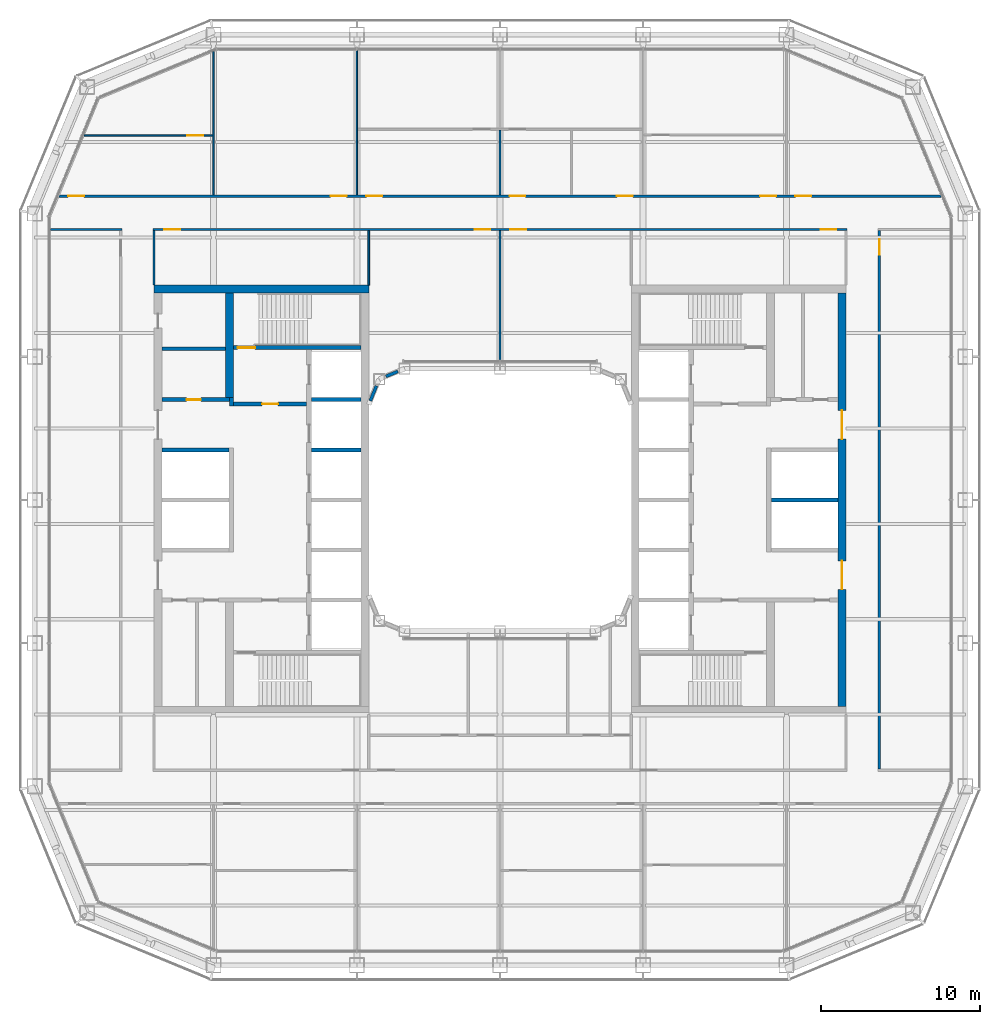
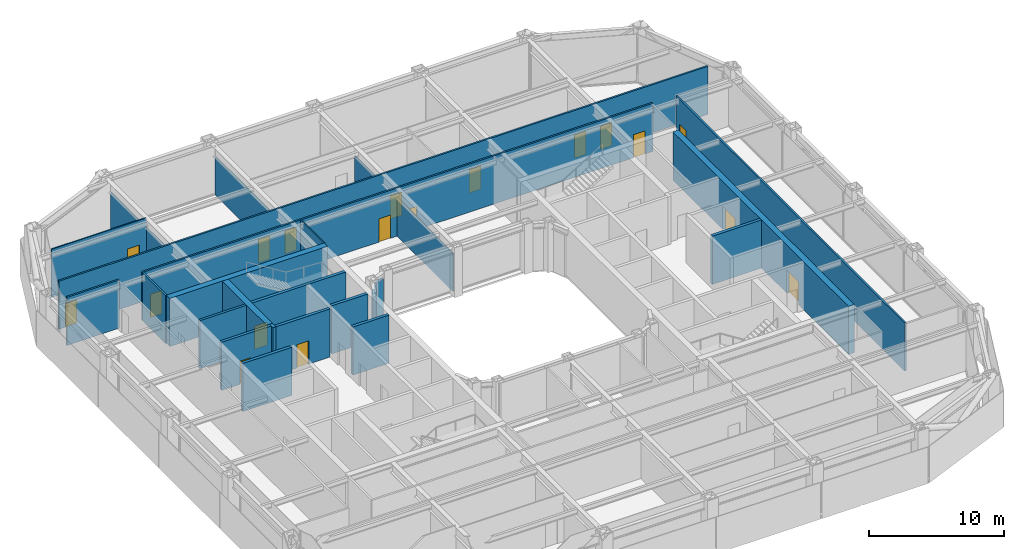
# One storey, part 13 of 21: 25 walls, 18 doors, 18 openings.
"""IFC4 building model written with IfcOpenShell, lengths in metres."""

from ifc_helpers import new_model, si_unit, direction, frame, frame_2d, origin, place, context, subcontext, project, spatial, rectangle, extrude, material, layer, layer_set, type_object, element, fill, save


model = new_model("IFC4")

# Units and contexts
model_context = context("Model", 3, precision=1e-05, world=origin(), true_north=direction((0.0, 1.0)))
body_context = subcontext(model_context, "Body", "Model", "MODEL_VIEW")
ifc_project = project(units=[si_unit("LENGTHUNIT", "METRE"), si_unit("AREAUNIT", "SQUARE_METRE"), si_unit("VOLUMEUNIT", "CUBIC_METRE"), si_unit("PLANEANGLEUNIT", "RADIAN"), si_unit("MASSUNIT", "GRAM", prefix="KILO")], contexts=[model_context])

# Site, building, storey
site_placement = place(None, origin())
site = spatial("IfcSite", under=ifc_project, at=site_placement, CompositionType="ELEMENT")
building_placement = place(site_placement, origin())
building = spatial("IfcBuilding", under=site, at=building_placement, Name="Siwar Civic Tower", CompositionType="ELEMENT")
storey_placement = place(building_placement, frame((0.0, 0.0, 104.699951171875)))
storey = spatial("IfcBuildingStorey", under=building, at=storey_placement, Name="L22", CompositionType="ELEMENT", Elevation=104.699951171875)

# Wall
ifc_material_1 = material(Name="Gypsum board on steel studs", Category="steel")
ifc_layer_1 = layer(ifc_material_1, 0.199951171875)
ifc_layer_set_1 = layer_set([ifc_layer_1], Name="Gypsum board on steel studs")
wall_type_1 = type_object("IfcWallType", Name="CORE-PARTITION-200", PredefinedType="PARTITIONING", material=ifc_layer_set_1)
wall_1_placement = place(storey_placement, frame((-17.25, 9.5, 0.0), z_axis=(0.0, 0.0, 1.0), x_axis=(-1.0, 0.0, 0.0)))
element("IfcWall", 1, at=wall_1_placement, inside=storey, type_object=wall_type_1, Name="Core partition W", PredefinedType="PARTITIONING", context=body_context, shape_type="SweptSolid", body=[
    extrude(rectangle(XDim=4.0, YDim=0.199951171875, at=frame_2d((2.0, 0.0))), origin(), (0.0, 0.0, 1.0), 4.35009765625),
])

# Wall, opening, door
ifc_material_2 = material(Name="Concrete C60/75", Category="concrete")
ifc_layer_2 = layer(ifc_material_2, 0.25)
ifc_layer_set_2 = layer_set([ifc_layer_2], Name="Concrete C60/75")
wall_type_2 = type_object("IfcWallType", Name="CORE-WALL-RC250", PredefinedType="SHEAR", material=ifc_layer_set_2)
wall_2_placement = place(storey_placement, frame((-12.14990234375, 6.02490234375, 0.0), z_axis=(0.0, 0.0, 1.0), x_axis=(-1.0, 0.0, 0.0)))
wall_2 = element("IfcWall", 2, at=wall_2_placement, inside=storey, type_object=wall_type_2, Name="Core wall W", PredefinedType="SHEAR", context=body_context, shape_type="SweptSolid", body=[
    extrude(rectangle(XDim=4.60009765625, YDim=0.25, at=frame_2d((2.300048828125, 0.0))), origin(), (0.0, 0.0, 1.0), 4.35009765625),
])
opening_1_placement = place(wall_2_placement, frame((1.800048828125, 0.0, 0.0)))
opening_1 = element("IfcOpeningElement", 3, at=opening_1_placement, cuts=wall_2, Name="Opening L22-CW01", PredefinedType="OPENING", context=body_context, shape_type="SweptSolid", body=[
    extrude(rectangle(XDim=1.0, YDim=2.10009765625, at=frame_2d((0.5, 1.050048828125))), frame((0.0, 0.135009765625, 0.0), z_axis=(0.0, -1.0, 0.0), x_axis=(1.0, 0.0, 0.0)), (0.0, 0.0, 1.0), 0.27001953125),
])
ifc_material_3 = material(Name="Steel door leaf", Category="steel")
door_type_1 = type_object("IfcDoorType", Name="CORE-DOOR-FD30S", OperationType="SINGLE_SWING_LEFT", PredefinedType="DOOR", material=ifc_material_3)
door_1_placement = place(opening_1_placement, origin())
door_1 = element("IfcDoor", 4, at=door_1_placement, inside=storey, type_object=door_type_1, Name="Firefighting lobby door L22-CW01", OperationType="SINGLE_SWING_LEFT", OverallHeight=2.10009765625, OverallWidth=1.0, PredefinedType="DOOR", context=body_context, shape_type="SweptSolid", body=[
    extrude(rectangle(XDim=1.0, YDim=2.10009765625, at=frame_2d((0.5, 1.050048828125))), frame((0.0, 0.02490234375, 0.0), z_axis=(0.0, -1.0, 0.0), x_axis=(1.0, 0.0, 0.0)), (0.0, 0.0, 1.0), 0.050048828125),
])
fill(opening_1, door_1)

# Wall
wall_3_placement = place(storey_placement, frame((-16.875, 5.89990234375, 0.0), z_axis=(0.0, 0.0, 1.0), x_axis=(0.0, 1.0, 0.0)))
element("IfcWall", 5, at=wall_3_placement, inside=storey, type_object=wall_type_2, Name="Core wall W", PredefinedType="SHEAR", context=body_context, shape_type="SweptSolid", body=[
    extrude(rectangle(XDim=0.525146484375, YDim=0.25, at=frame_2d((0.2626953125, 0.0))), origin(), (0.0, 0.0, 1.0), 4.35009765625),
])

# Wall, opening, door
wall_4_placement = place(storey_placement, frame((-17.0, 6.300048828125, 0.0), z_axis=(0.0, 0.0, 1.0), x_axis=(-1.0, 0.0, 0.0)))
wall_4 = element("IfcWall", 6, at=wall_4_placement, inside=storey, type_object=wall_type_2, Name="Core wall W", PredefinedType="SHEAR", context=body_context, shape_type="SweptSolid", body=[
    extrude(rectangle(XDim=4.25, YDim=0.25, at=frame_2d((2.125, 0.0))), origin(), (0.0, 0.0, 1.0), 4.35009765625),
])
opening_2_placement = place(wall_4_placement, frame((1.800048828125, 0.0, 0.0)))
opening_2 = element("IfcOpeningElement", 7, at=opening_2_placement, cuts=wall_4, Name="Opening L22-CW13", PredefinedType="OPENING", context=body_context, shape_type="SweptSolid", body=[
    extrude(rectangle(XDim=0.89990234375, YDim=2.10009765625, at=frame_2d((0.449951171875, 1.050048828125))), frame((0.0, 0.135009765625, 0.0), z_axis=(0.0, -1.0, 0.0), x_axis=(1.0, 0.0, 0.0)), (0.0, 0.0, 1.0), 0.27001953125),
])
ifc_material_4 = material(Name="Steel door leaf", Category="steel")
door_type_2 = type_object("IfcDoorType", Name="CORE-DOOR-ROOM", OperationType="SINGLE_SWING_LEFT", PredefinedType="DOOR", material=ifc_material_4)
door_2_placement = place(opening_2_placement, origin())
door_2 = element("IfcDoor", 8, at=door_2_placement, inside=storey, type_object=door_type_2, Name="Core room door L22-CW13", OperationType="SINGLE_SWING_LEFT", OverallHeight=2.10009765625, OverallWidth=0.89990234375, PredefinedType="DOOR", context=body_context, shape_type="SweptSolid", body=[
    extrude(rectangle(XDim=0.89990234375, YDim=2.10009765625, at=frame_2d((0.449951171875, 1.050048828125))), frame((0.0, 0.02490234375, 0.0), z_axis=(0.0, -1.0, 0.0), x_axis=(1.0, 0.0, 0.0)), (0.0, 0.0, 1.0), 0.050048828125),
])
fill(opening_2, door_2)

# Walls
wall_5_placement = place(storey_placement, frame((-17.050048828125, 3.14990234375, 0.0), z_axis=(0.0, 0.0, 1.0), x_axis=(-1.0, 0.0, 0.0)))
element("IfcWall", 9, at=wall_5_placement, inside=storey, type_object=wall_type_2, Name="Core wall W", PredefinedType="SHEAR", context=body_context, shape_type="SweptSolid", body=[
    extrude(rectangle(XDim=4.199951171875, YDim=0.25, at=frame_2d((2.10009765625, 0.0))), origin(), (0.0, 0.0, 1.0), 4.35009765625),
])
for number, where, z_axis, x_axis, name in (
    (10, (-8.75, 3.14990234375, 0.0), (0.0, 0.0, 1.0), (-1.0, 0.0, 0.0), "Core wall W"),
    (11, (-8.75, 6.300048828125, 0.0), (0.0, 0.0, 1.0), (-1.0, 0.0, 0.0), "Core wall W"),
):
    element("IfcWall", number, at=place(storey_placement, frame(where, z_axis=z_axis, x_axis=x_axis)), inside=storey, type_object=wall_type_2, Name=name, PredefinedType="SHEAR", context=body_context, shape_type="SweptSolid", body=[
        extrude(rectangle(XDim=3.10009765625, YDim=0.25, at=frame_2d((1.550048828125, 0.0))), origin(), (0.0, 0.0, 1.0), 4.35009765625),
    ])

# Wall, opening, door
wall_6_placement = place(storey_placement, frame((-8.75, 9.574951171875, 0.0), z_axis=(0.0, 0.0, 1.0), x_axis=(-1.0, 0.0, 0.0)))
wall_6 = element("IfcWall", 12, at=wall_6_placement, inside=storey, type_object=wall_type_2, Name="Core wall W", PredefinedType="SHEAR", context=body_context, shape_type="SweptSolid", body=[
    extrude(rectangle(XDim=8.0, YDim=0.25, at=frame_2d((4.0, 0.0))), origin(), (0.0, 0.0, 1.0), 4.35009765625),
])
opening_3_placement = place(wall_6_placement, frame((6.64990234375, 0.0, 0.0)))
opening_3 = element("IfcOpeningElement", 13, at=opening_3_placement, cuts=wall_6, Name="Opening L22-CW03", PredefinedType="OPENING", context=body_context, shape_type="SweptSolid", body=[
    extrude(rectangle(XDim=1.10009765625, YDim=2.10009765625, at=frame_2d((0.550048828125, 1.050048828125))), frame((0.0, 0.135009765625, 0.0), z_axis=(0.0, -1.0, 0.0), x_axis=(1.0, 0.0, 0.0)), (0.0, 0.0, 1.0), 0.27001953125),
])
ifc_material_5 = material(Name="Steel door leaf", Category="steel")
door_type_3 = type_object("IfcDoorType", Name="CORE-DOOR-FD60S", OperationType="SINGLE_SWING_LEFT", PredefinedType="DOOR", material=ifc_material_5)
door_3_placement = place(opening_3_placement, origin())
door_3 = element("IfcDoor", 14, at=door_3_placement, inside=storey, type_object=door_type_3, Name="Stair door L22-CW03", OperationType="SINGLE_SWING_RIGHT", OverallHeight=2.10009765625, OverallWidth=1.10009765625, PredefinedType="DOOR", context=body_context, shape_type="SweptSolid", body=[
    extrude(rectangle(XDim=1.10009765625, YDim=2.10009765625, at=frame_2d((0.550048828125, 1.050048828125))), frame((0.0, 0.02490234375, 0.0), z_axis=(0.0, -1.0, 0.0), x_axis=(1.0, 0.0, 0.0)), (0.0, 0.0, 1.0), 0.050048828125),
])
fill(opening_3, door_3)

# Walls
wall_7_placement = place(storey_placement, frame((17.050048828125, 0.0, 0.0), z_axis=(0.0, 0.0, 1.0), x_axis=(1.0, 0.0, 0.0)))
element("IfcWall", 15, at=wall_7_placement, inside=storey, type_object=wall_type_2, Name="Core wall E", PredefinedType="SHEAR", context=body_context, shape_type="SweptSolid", body=[
    extrude(rectangle(XDim=4.199951171875, YDim=0.25, at=frame_2d((2.10009765625, 0.0))), origin(), (0.0, 0.0, 1.0), 4.35009765625),
])
ifc_material_6 = material(Name="Concrete C60/75", Category="concrete")
ifc_layer_3 = layer(ifc_material_6, 0.5)
ifc_layer_set_3 = layer_set([ifc_layer_3], Name="Concrete C60/75")
wall_type_3 = type_object("IfcWallType", Name="CORE-WALL-RC500", PredefinedType="SHEAR", material=ifc_layer_set_3)
wall_8_placement = place(storey_placement, frame((-17.0, 6.425048828125, 0.0), z_axis=(0.0, 0.0, 1.0), x_axis=(0.0, 1.0, 0.0)))
element("IfcWall", 16, at=wall_8_placement, inside=storey, type_object=wall_type_3, Name="Core wall W", PredefinedType="SHEAR", context=body_context, shape_type="SweptSolid", body=[
    extrude(rectangle(XDim=6.574951171875, YDim=0.5, at=frame_2d((3.28759765625, 0.0))), origin(), (0.0, 0.0, 1.0), 4.35009765625),
])
wall_9_placement = place(storey_placement, frame((-8.25, 13.25, 0.0), z_axis=(0.0, 0.0, 1.0), x_axis=(-1.0, 0.0, 0.0)))
element("IfcWall", 17, at=wall_9_placement, inside=storey, type_object=wall_type_3, Name="Core wall W", PredefinedType="SHEAR", context=body_context, shape_type="SweptSolid", body=[
    extrude(rectangle(XDim=13.5, YDim=0.5, at=frame_2d((6.75, 0.0))), origin(), (0.0, 0.0, 1.0), 4.35009765625),
])

# Wall, openings, doors
wall_10_placement = place(storey_placement, frame((21.5, -13.0, 0.0), z_axis=(0.0, 0.0, 1.0), x_axis=(0.0, 1.0, 0.0)))
wall_10 = element("IfcWall", 18, at=wall_10_placement, inside=storey, type_object=wall_type_3, Name="Core wall E", PredefinedType="SHEAR", context=body_context, shape_type="SweptSolid", body=[
    extrude(rectangle(XDim=26.0, YDim=0.5, at=frame_2d((13.0, 0.0))), origin(), (0.0, 0.0, 1.0), 4.35009765625),
])
opening_4_placement = place(wall_10_placement, frame((16.824951171875, 0.0, 0.0)))
opening_4 = element("IfcOpeningElement", 19, at=opening_4_placement, cuts=wall_10, Name="Opening L22-CE05", PredefinedType="OPENING", context=body_context, shape_type="SweptSolid", body=[
    extrude(rectangle(XDim=1.800048828125, YDim=2.10009765625, at=frame_2d((0.89990234375, 1.050048828125))), frame((0.0, 0.260009765625, 0.0), z_axis=(0.0, -1.0, 0.0), x_axis=(1.0, 0.0, 0.0)), (0.0, 0.0, 1.0), 0.52001953125),
])
opening_5_placement = place(wall_10_placement, frame((7.375, 0.0, 0.0)))
opening_5 = element("IfcOpeningElement", 20, at=opening_5_placement, cuts=wall_10, Name="Opening L22-CE06", PredefinedType="OPENING", context=body_context, shape_type="SweptSolid", body=[
    extrude(rectangle(XDim=1.800048828125, YDim=2.10009765625, at=frame_2d((0.89990234375, 1.050048828125))), frame((0.0, 0.260009765625, 0.0), z_axis=(0.0, -1.0, 0.0), x_axis=(1.0, 0.0, 0.0)), (0.0, 0.0, 1.0), 0.52001953125),
])
ifc_material_7 = material(Name="Steel door leaf", Category="steel")
door_type_4 = type_object("IfcDoorType", Name="CORE-DOOR-PORT", OperationType="DOUBLE_DOOR_DOUBLE_SWING", PredefinedType="DOOR", material=ifc_material_7)
door_4_placement = place(opening_4_placement, origin())
door_4 = element("IfcDoor", 21, at=door_4_placement, inside=storey, type_object=door_type_4, Name="Core entrance door L22-CE05", OperationType="DOUBLE_DOOR_DOUBLE_SWING", OverallHeight=2.10009765625, OverallWidth=1.800048828125, PredefinedType="DOOR", context=body_context, shape_type="SweptSolid", body=[
    extrude(rectangle(XDim=1.800048828125, YDim=2.10009765625, at=frame_2d((0.89990234375, 1.050048828125))), frame((0.0, 0.02490234375, 0.0), z_axis=(0.0, -1.0, 0.0), x_axis=(1.0, 0.0, 0.0)), (0.0, 0.0, 1.0), 0.050048828125),
])
fill(opening_4, door_4)
door_5_placement = place(opening_5_placement, origin())
door_5 = element("IfcDoor", 22, at=door_5_placement, inside=storey, type_object=door_type_4, Name="Core entrance door L22-CE06", OperationType="DOUBLE_DOOR_DOUBLE_SWING", OverallHeight=2.10009765625, OverallWidth=1.800048828125, PredefinedType="DOOR", context=body_context, shape_type="SweptSolid", body=[
    extrude(rectangle(XDim=1.800048828125, YDim=2.10009765625, at=frame_2d((0.89990234375, 1.050048828125))), frame((0.0, 0.02490234375, 0.0), z_axis=(0.0, -1.0, 0.0), x_axis=(1.0, 0.0, 0.0)), (0.0, 0.0, 1.0), 0.050048828125),
])
fill(opening_5, door_5)

# Wall
ifc_material_8 = material(Name="Gypsum board on steel studs", Category="steel")
ifc_layer_4 = layer(ifc_material_8, 0.14990234375)
ifc_layer_set_4 = layer_set([ifc_layer_4], Name="Gypsum board on steel studs")
wall_type_4 = type_object("IfcWallType", Name="CORRIDOR PARTITION 150 EI 30", PredefinedType="PARTITIONING", material=ifc_layer_set_4)
wall_11_placement = place(storey_placement, frame((-28.260009765625, 17.0, 0.0), z_axis=(0.0, 0.0, 1.0), x_axis=(1.0, 0.0, 0.0)))
element("IfcWall", 23, at=wall_11_placement, inside=storey, type_object=wall_type_4, Name="L22/wall/P11", PredefinedType="PARTITIONING", context=body_context, shape_type="SweptSolid", body=[
    extrude(rectangle(XDim=4.485107421875, YDim=0.14990234375, at=frame_2d((2.24267578125, 0.0))), origin(), (0.0, 0.0, 1.0), 4.35009765625),
])

# Wall, openings, doors
wall_12_placement = place(storey_placement, frame((-21.824951171875, 17.0, 0.0), z_axis=(0.0, 0.0, 1.0), x_axis=(1.0, 0.0, 0.0)))
wall_12 = element("IfcWall", 24, at=wall_12_placement, inside=storey, type_object=wall_type_4, Name="L22/wall/P12", PredefinedType="PARTITIONING", context=body_context, shape_type="SweptSolid", body=[
    extrude(rectangle(XDim=43.64990234375, YDim=0.14990234375, at=frame_2d((21.824951171875, 0.0))), origin(), (0.0, 0.0, 1.0), 4.35009765625),
])
opening_6_placement = place(wall_12_placement, frame((20.22509765625, 0.0, 0.0)))
opening_6 = element("IfcOpeningElement", 25, at=opening_6_placement, cuts=wall_12, Name="Opening D1", PredefinedType="OPENING", context=body_context, shape_type="SweptSolid", body=[
    extrude(rectangle(XDim=1.0, YDim=2.10009765625, at=frame_2d((0.5, 1.050048828125))), frame((0.0, 0.0849609375, 0.0), z_axis=(0.0, -1.0, 0.0), x_axis=(1.0, 0.0, 0.0)), (0.0, 0.0, 1.0), 0.169921875),
])
opening_7_placement = place(wall_12_placement, frame((22.47509765625, 0.0, 0.0)))
opening_7 = element("IfcOpeningElement", 26, at=opening_7_placement, cuts=wall_12, Name="Opening D1", PredefinedType="OPENING", context=body_context, shape_type="SweptSolid", body=[
    extrude(rectangle(XDim=1.0, YDim=2.10009765625, at=frame_2d((0.5, 1.050048828125))), frame((0.0, 0.0849609375, 0.0), z_axis=(0.0, -1.0, 0.0), x_axis=(1.0, 0.0, 0.0)), (0.0, 0.0, 1.0), 0.169921875),
])
opening_8_placement = place(wall_12_placement, frame((0.72509765625, 0.0, 0.0)))
opening_8 = element("IfcOpeningElement", 27, at=opening_8_placement, cuts=wall_12, Name="Opening D1", PredefinedType="OPENING", context=body_context, shape_type="SweptSolid", body=[
    extrude(rectangle(XDim=1.0, YDim=2.10009765625, at=frame_2d((0.5, 1.050048828125))), frame((0.0, 0.0849609375, 0.0), z_axis=(0.0, -1.0, 0.0), x_axis=(1.0, 0.0, 0.0)), (0.0, 0.0, 1.0), 0.169921875),
])
opening_9_placement = place(wall_12_placement, frame((41.97509765625, 0.0, 0.0)))
opening_9 = element("IfcOpeningElement", 28, at=opening_9_placement, cuts=wall_12, Name="Opening D1", PredefinedType="OPENING", context=body_context, shape_type="SweptSolid", body=[
    extrude(rectangle(XDim=1.0, YDim=2.10009765625, at=frame_2d((0.5, 1.050048828125))), frame((0.0, 0.0849609375, 0.0), z_axis=(0.0, -1.0, 0.0), x_axis=(1.0, 0.0, 0.0)), (0.0, 0.0, 1.0), 0.169921875),
])
ifc_material_9 = material(Name="Timber, painted", Category="wood")
door_type_5 = type_object("IfcDoorType", Name="DOOR 1000 X 2100 FD30", OperationType="SINGLE_SWING_LEFT", PredefinedType="DOOR", material=ifc_material_9)
door_6_placement = place(opening_6_placement, origin())
door_6 = element("IfcDoor", 29, at=door_6_placement, inside=storey, type_object=door_type_5, Name="L22-D22", OperationType="SINGLE_SWING_RIGHT", OverallHeight=2.10009765625, OverallWidth=1.0, PredefinedType="DOOR", context=body_context, shape_type="SweptSolid", body=[
    extrude(rectangle(XDim=1.0, YDim=2.10009765625, at=frame_2d((0.5, 1.050048828125))), frame((0.0, 0.02490234375, 0.0), z_axis=(0.0, -1.0, 0.0), x_axis=(1.0, 0.0, 0.0)), (0.0, 0.0, 1.0), 0.050048828125),
])
fill(opening_6, door_6)
door_7_placement = place(opening_7_placement, origin())
door_7 = element("IfcDoor", 30, at=door_7_placement, inside=storey, type_object=door_type_5, Name="L22-D23", OperationType="SINGLE_SWING_LEFT", OverallHeight=2.10009765625, OverallWidth=1.0, PredefinedType="DOOR", context=body_context, shape_type="SweptSolid", body=[
    extrude(rectangle(XDim=1.0, YDim=2.10009765625, at=frame_2d((0.5, 1.050048828125))), frame((0.0, 0.02490234375, 0.0), z_axis=(0.0, -1.0, 0.0), x_axis=(1.0, 0.0, 0.0)), (0.0, 0.0, 1.0), 0.050048828125),
])
fill(opening_7, door_7)
door_8_placement = place(opening_8_placement, origin())
door_8 = element("IfcDoor", 31, at=door_8_placement, inside=storey, type_object=door_type_5, Name="L22-D29", OperationType="SINGLE_SWING_LEFT", OverallHeight=2.10009765625, OverallWidth=1.0, PredefinedType="DOOR", context=body_context, shape_type="SweptSolid", body=[
    extrude(rectangle(XDim=1.0, YDim=2.10009765625, at=frame_2d((0.5, 1.050048828125))), frame((0.0, 0.02490234375, 0.0), z_axis=(0.0, -1.0, 0.0), x_axis=(1.0, 0.0, 0.0)), (0.0, 0.0, 1.0), 0.050048828125),
])
fill(opening_8, door_8)
door_9_placement = place(opening_9_placement, origin())
door_9 = element("IfcDoor", 32, at=door_9_placement, inside=storey, type_object=door_type_5, Name="L22-D30", OperationType="SINGLE_SWING_RIGHT", OverallHeight=2.10009765625, OverallWidth=1.0, PredefinedType="DOOR", context=body_context, shape_type="SweptSolid", body=[
    extrude(rectangle(XDim=1.0, YDim=2.10009765625, at=frame_2d((0.5, 1.050048828125))), frame((0.0, 0.02490234375, 0.0), z_axis=(0.0, -1.0, 0.0), x_axis=(1.0, 0.0, 0.0)), (0.0, 0.0, 1.0), 0.050048828125),
])
fill(opening_9, door_9)

wall_13_placement = place(storey_placement, frame((-27.722900390625, 19.10009765625, 0.0), z_axis=(0.0, 0.0, 1.0), x_axis=(1.0, 0.0, 0.0)))
wall_13 = element("IfcWall", 33, at=wall_13_placement, inside=storey, type_object=wall_type_4, Name="L22/wall/P14", PredefinedType="PARTITIONING", context=body_context, shape_type="SweptSolid", body=[
    extrude(rectangle(XDim=55.44580078125, YDim=0.14990234375, at=frame_2d((27.722900390625, 0.0))), origin(), (0.0, 0.0, 1.0), 4.35009765625),
])
opening_10_placement = place(wall_13_placement, frame((17.072998046875, 0.0, 0.0)))
opening_10 = element("IfcOpeningElement", 34, at=opening_10_placement, cuts=wall_13, Name="Opening D1", PredefinedType="OPENING", context=body_context, shape_type="SweptSolid", body=[
    extrude(rectangle(XDim=1.0, YDim=2.10009765625, at=frame_2d((0.5, 1.050048828125))), frame((0.0, 0.0849609375, 0.0), z_axis=(0.0, -1.0, 0.0), x_axis=(1.0, 0.0, 0.0)), (0.0, 0.0, 1.0), 0.169921875),
])
opening_11_placement = place(wall_13_placement, frame((19.322998046875, 0.0, 0.0)))
opening_11 = element("IfcOpeningElement", 35, at=opening_11_placement, cuts=wall_13, Name="Opening D1", PredefinedType="OPENING", context=body_context, shape_type="SweptSolid", body=[
    extrude(rectangle(XDim=1.0, YDim=2.10009765625, at=frame_2d((0.5, 1.050048828125))), frame((0.0, 0.0849609375, 0.0), z_axis=(0.0, -1.0, 0.0), x_axis=(1.0, 0.0, 0.0)), (0.0, 0.0, 1.0), 0.169921875),
])
opening_12_placement = place(wall_13_placement, frame((28.322998046875, 0.0, 0.0)))
opening_12 = element("IfcOpeningElement", 36, at=opening_12_placement, cuts=wall_13, Name="Opening D1", PredefinedType="OPENING", context=body_context, shape_type="SweptSolid", body=[
    extrude(rectangle(XDim=1.0, YDim=2.10009765625, at=frame_2d((0.5, 1.050048828125))), frame((0.0, 0.0849609375, 0.0), z_axis=(0.0, -1.0, 0.0), x_axis=(1.0, 0.0, 0.0)), (0.0, 0.0, 1.0), 0.169921875),
])
opening_13_placement = place(wall_13_placement, frame((35.072998046875, 0.0, 0.0)))
opening_13 = element("IfcOpeningElement", 37, at=opening_13_placement, cuts=wall_13, Name="Opening D1", PredefinedType="OPENING", context=body_context, shape_type="SweptSolid", body=[
    extrude(rectangle(XDim=1.0, YDim=2.10009765625, at=frame_2d((0.5, 1.050048828125))), frame((0.0, 0.0849609375, 0.0), z_axis=(0.0, -1.0, 0.0), x_axis=(1.0, 0.0, 0.0)), (0.0, 0.0, 1.0), 0.169921875),
])
opening_14_placement = place(wall_13_placement, frame((44.072998046875, 0.0, 0.0)))
opening_14 = element("IfcOpeningElement", 38, at=opening_14_placement, cuts=wall_13, Name="Opening D1", PredefinedType="OPENING", context=body_context, shape_type="SweptSolid", body=[
    extrude(rectangle(XDim=1.0, YDim=2.10009765625, at=frame_2d((0.5, 1.050048828125))), frame((0.0, 0.0849609375, 0.0), z_axis=(0.0, -1.0, 0.0), x_axis=(1.0, 0.0, 0.0)), (0.0, 0.0, 1.0), 0.169921875),
])
opening_15_placement = place(wall_13_placement, frame((0.572998046875, 0.0, 0.0)))
opening_15 = element("IfcOpeningElement", 39, at=opening_15_placement, cuts=wall_13, Name="Opening D1", PredefinedType="OPENING", context=body_context, shape_type="SweptSolid", body=[
    extrude(rectangle(XDim=1.0, YDim=2.10009765625, at=frame_2d((0.5, 1.050048828125))), frame((0.0, 0.0849609375, 0.0), z_axis=(0.0, -1.0, 0.0), x_axis=(1.0, 0.0, 0.0)), (0.0, 0.0, 1.0), 0.169921875),
])
opening_16_placement = place(wall_13_placement, frame((46.2958984375, 0.0, 0.0)))
opening_16 = element("IfcOpeningElement", 40, at=opening_16_placement, cuts=wall_13, Name="Opening D1", PredefinedType="OPENING", context=body_context, shape_type="SweptSolid", body=[
    extrude(rectangle(XDim=1.0, YDim=2.10009765625, at=frame_2d((0.5, 1.050048828125))), frame((0.0, 0.0849609375, 0.0), z_axis=(0.0, -1.0, 0.0), x_axis=(1.0, 0.0, 0.0)), (0.0, 0.0, 1.0), 0.169921875),
])
door_10_placement = place(opening_10_placement, origin())
door_10 = element("IfcDoor", 41, at=door_10_placement, inside=storey, type_object=door_type_5, Name="L22-D01", OperationType="SINGLE_SWING_LEFT", OverallHeight=2.10009765625, OverallWidth=1.0, PredefinedType="DOOR", context=body_context, shape_type="SweptSolid", body=[
    extrude(rectangle(XDim=1.0, YDim=2.10009765625, at=frame_2d((0.5, 1.050048828125))), frame((0.0, 0.02490234375, 0.0), z_axis=(0.0, -1.0, 0.0), x_axis=(1.0, 0.0, 0.0)), (0.0, 0.0, 1.0), 0.050048828125),
])
fill(opening_10, door_10)
door_11_placement = place(opening_11_placement, origin())
door_11 = element("IfcDoor", 42, at=door_11_placement, inside=storey, type_object=door_type_5, Name="L22-D02", OperationType="SINGLE_SWING_RIGHT", OverallHeight=2.10009765625, OverallWidth=1.0, PredefinedType="DOOR", context=body_context, shape_type="SweptSolid", body=[
    extrude(rectangle(XDim=1.0, YDim=2.10009765625, at=frame_2d((0.5, 1.050048828125))), frame((0.0, 0.02490234375, 0.0), z_axis=(0.0, -1.0, 0.0), x_axis=(1.0, 0.0, 0.0)), (0.0, 0.0, 1.0), 0.050048828125),
])
fill(opening_11, door_11)
door_12_placement = place(opening_12_placement, origin())
door_12 = element("IfcDoor", 43, at=door_12_placement, inside=storey, type_object=door_type_5, Name="L22-D04", OperationType="SINGLE_SWING_RIGHT", OverallHeight=2.10009765625, OverallWidth=1.0, PredefinedType="DOOR", context=body_context, shape_type="SweptSolid", body=[
    extrude(rectangle(XDim=1.0, YDim=2.10009765625, at=frame_2d((0.5, 1.050048828125))), frame((0.0, 0.02490234375, 0.0), z_axis=(0.0, -1.0, 0.0), x_axis=(1.0, 0.0, 0.0)), (0.0, 0.0, 1.0), 0.050048828125),
])
fill(opening_12, door_12)
door_13_placement = place(opening_13_placement, origin())
door_13 = element("IfcDoor", 44, at=door_13_placement, inside=storey, type_object=door_type_5, Name="L22-D05", OperationType="SINGLE_SWING_LEFT", OverallHeight=2.10009765625, OverallWidth=1.0, PredefinedType="DOOR", context=body_context, shape_type="SweptSolid", body=[
    extrude(rectangle(XDim=1.0, YDim=2.10009765625, at=frame_2d((0.5, 1.050048828125))), frame((0.0, 0.02490234375, 0.0), z_axis=(0.0, -1.0, 0.0), x_axis=(1.0, 0.0, 0.0)), (0.0, 0.0, 1.0), 0.050048828125),
])
fill(opening_13, door_13)
door_14_placement = place(opening_14_placement, origin())
door_14 = element("IfcDoor", 45, at=door_14_placement, inside=storey, type_object=door_type_5, Name="L22-D07", OperationType="SINGLE_SWING_LEFT", OverallHeight=2.10009765625, OverallWidth=1.0, PredefinedType="DOOR", context=body_context, shape_type="SweptSolid", body=[
    extrude(rectangle(XDim=1.0, YDim=2.10009765625, at=frame_2d((0.5, 1.050048828125))), frame((0.0, 0.02490234375, 0.0), z_axis=(0.0, -1.0, 0.0), x_axis=(1.0, 0.0, 0.0)), (0.0, 0.0, 1.0), 0.050048828125),
])
fill(opening_14, door_14)
door_15_placement = place(opening_15_placement, origin())
door_15 = element("IfcDoor", 46, at=door_15_placement, inside=storey, type_object=door_type_5, Name="L22-D16", OperationType="SINGLE_SWING_RIGHT", OverallHeight=2.10009765625, OverallWidth=1.0, PredefinedType="DOOR", context=body_context, shape_type="SweptSolid", body=[
    extrude(rectangle(XDim=1.0, YDim=2.10009765625, at=frame_2d((0.5, 1.050048828125))), frame((0.0, 0.02490234375, 0.0), z_axis=(0.0, -1.0, 0.0), x_axis=(1.0, 0.0, 0.0)), (0.0, 0.0, 1.0), 0.050048828125),
])
fill(opening_15, door_15)
door_16_placement = place(opening_16_placement, origin())
door_16 = element("IfcDoor", 47, at=door_16_placement, inside=storey, type_object=door_type_5, Name="L22-D18", OperationType="SINGLE_SWING_RIGHT", OverallHeight=2.10009765625, OverallWidth=1.0, PredefinedType="DOOR", context=body_context, shape_type="SweptSolid", body=[
    extrude(rectangle(XDim=1.0, YDim=2.10009765625, at=frame_2d((0.5, 1.050048828125))), frame((0.0, 0.02490234375, 0.0), z_axis=(0.0, -1.0, 0.0), x_axis=(1.0, 0.0, 0.0)), (0.0, 0.0, 1.0), 0.050048828125),
])
fill(opening_16, door_16)

# Wall
wall_14_placement = place(storey_placement, frame((-21.75, 13.5, 0.0), z_axis=(0.0, 0.0, 1.0), x_axis=(0.0, 1.0, 0.0)))
element("IfcWall", 48, at=wall_14_placement, inside=storey, type_object=wall_type_4, Name="L22/wall/P20", PredefinedType="PARTITIONING", context=body_context, shape_type="SweptSolid", body=[
    extrude(rectangle(XDim=3.425048828125, YDim=0.14990234375, at=frame_2d((1.71240234375, 0.0))), origin(), (0.0, 0.0, 1.0), 4.35009765625),
])

# Wall, opening, door
wall_15_placement = place(storey_placement, frame((23.85009765625, -16.925048828125, 0.0), z_axis=(0.0, 0.0, 1.0), x_axis=(0.0, 1.0, 0.0)))
wall_15 = element("IfcWall", 49, at=wall_15_placement, inside=storey, type_object=wall_type_4, Name="L22/wall/P44", PredefinedType="PARTITIONING", context=body_context, shape_type="SweptSolid", body=[
    extrude(rectangle(XDim=33.85009765625, YDim=0.14990234375, at=frame_2d((16.925048828125, 0.0))), origin(), (0.0, 0.0, 1.0), 4.35009765625),
])
opening_17_placement = place(wall_15_placement, frame((32.324951171875, 0.0, 0.0)))
opening_17 = element("IfcOpeningElement", 50, at=opening_17_placement, cuts=wall_15, Name="Opening D1", PredefinedType="OPENING", context=body_context, shape_type="SweptSolid", body=[
    extrude(rectangle(XDim=1.0, YDim=2.10009765625, at=frame_2d((0.5, 1.050048828125))), frame((0.0, 0.0849609375, 0.0), z_axis=(0.0, -1.0, 0.0), x_axis=(1.0, 0.0, 0.0)), (0.0, 0.0, 1.0), 0.169921875),
])
door_17_placement = place(opening_17_placement, origin())
door_17 = element("IfcDoor", 51, at=door_17_placement, inside=storey, type_object=door_type_5, Name="L22-D34", OperationType="SINGLE_SWING_RIGHT", OverallHeight=2.10009765625, OverallWidth=1.0, PredefinedType="DOOR", context=body_context, shape_type="SweptSolid", body=[
    extrude(rectangle(XDim=1.0, YDim=2.10009765625, at=frame_2d((0.5, 1.050048828125))), frame((0.0, 0.02490234375, 0.0), z_axis=(0.0, -1.0, 0.0), x_axis=(1.0, 0.0, 0.0)), (0.0, 0.0, 1.0), 0.050048828125),
])
fill(opening_17, door_17)

# Walls
ifc_material_10 = material(Name="Aluminium clad insulated panel", Category="aluminium")
ifc_layer_5 = layer(ifc_material_10, 0.199951171875)
ifc_layer_set_5 = layer_set([ifc_layer_5], Name="Aluminium clad insulated panel")
wall_type_5 = type_object("IfcWallType", Name="ENV-WALL-WELL", PredefinedType="STANDARD", material=ifc_layer_set_5)
wall_16_placement = place(storey_placement, frame((-6.422607421875, 8.074951171875, 0.0), z_axis=(0.0, 0.0, 1.0), x_axis=(-0.923817771127, -0.382832503518, 0.0)))
element("IfcWall", 52, at=wall_16_placement, inside=storey, type_object=wall_type_5, Name="Light well corner wall NW1", PredefinedType="STANDARD", context=body_context, shape_type="SweptSolid", body=[
    extrude(rectangle(XDim=0.807373046875, YDim=0.199951171875, at=frame_2d((0.40380859375, 0.0))), origin(), (0.0, 0.0, 1.0), 3.825927734375),
])
wall_17_placement = place(storey_placement, frame((-7.765869140625, 7.16845703125, 0.0), z_axis=(0.0, 0.0, 1.0), x_axis=(-0.382769662028, -0.923843810301, 0.0)))
element("IfcWall", 53, at=wall_17_placement, inside=storey, type_object=wall_type_5, Name="Light well corner wall NW2", PredefinedType="STANDARD", context=body_context, shape_type="SweptSolid", body=[
    extrude(rectangle(XDim=1.014892578125, YDim=0.199951171875, at=frame_2d((0.50732421875, 0.0))), origin(), (0.0, 0.0, 1.0), 3.825927734375),
])

# Wall, opening, door
ifc_material_11 = material(Name="Gypsum board on steel studs", Category="steel")
ifc_layer_6 = layer(ifc_material_11, 0.10009765625)
ifc_layer_set_6 = layer_set([ifc_layer_6], Name="Gypsum board on steel studs")
wall_type_6 = type_object("IfcWallType", Name="PARTITION 100 GYPSUM", PredefinedType="PARTITIONING", material=ifc_layer_set_6)
wall_18_placement = place(storey_placement, frame((-26.14306640625, 22.9130859375, 0.0), z_axis=(0.0, 0.0, 1.0), x_axis=(1.0, 0.0, 0.0)))
wall_18 = element("IfcWall", 54, at=wall_18_placement, inside=storey, type_object=wall_type_6, Name="L22/wall/P15", PredefinedType="PARTITIONING", context=body_context, shape_type="SweptSolid", body=[
    extrude(rectangle(XDim=8.093017578125, YDim=0.10009765625, at=frame_2d((4.04638671875, 0.0))), origin(), (0.0, 0.0, 1.0), 4.35009765625),
])
opening_18_placement = place(wall_18_placement, frame((6.492919921875, 0.0, 0.0)))
opening_18 = element("IfcOpeningElement", 55, at=opening_18_placement, cuts=wall_18, Name="Opening D2", PredefinedType="OPENING", context=body_context, shape_type="SweptSolid", body=[
    extrude(rectangle(XDim=1.0, YDim=2.10009765625, at=frame_2d((0.5, 1.050048828125))), frame((0.0, 0.06005859375, 0.0), z_axis=(0.0, -1.0, 0.0), x_axis=(1.0, 0.0, 0.0)), (0.0, 0.0, 1.0), 0.1201171875),
])
ifc_material_12 = material(Name="Timber, painted", Category="wood")
door_type_6 = type_object("IfcDoorType", Name="DOOR 1000 X 2100", OperationType="SINGLE_SWING_LEFT", PredefinedType="DOOR", material=ifc_material_12)
door_18_placement = place(opening_18_placement, origin())
door_18 = element("IfcDoor", 56, at=door_18_placement, inside=storey, type_object=door_type_6, Name="L22-D17", OperationType="SINGLE_SWING_LEFT", OverallHeight=2.10009765625, OverallWidth=1.0, PredefinedType="DOOR", context=body_context, shape_type="SweptSolid", body=[
    extrude(rectangle(XDim=1.0, YDim=2.10009765625, at=frame_2d((0.5, 1.050048828125))), frame((0.0, 0.02490234375, 0.0), z_axis=(0.0, -1.0, 0.0), x_axis=(1.0, 0.0, 0.0)), (0.0, 0.0, 1.0), 0.050048828125),
])
fill(opening_18, door_18)

# Walls
wall_19_placement = place(storey_placement, frame((-18.0, 19.175048828125, 0.0), z_axis=(0.0, 0.0, 1.0), x_axis=(0.0, 1.0, 0.0)))
element("IfcWall", 57, at=wall_19_placement, inside=storey, type_object=wall_type_6, Name="L22/wall/P22", PredefinedType="PARTITIONING", context=body_context, shape_type="SweptSolid", body=[
    extrude(rectangle(XDim=9.0029296875, YDim=0.10009765625, at=frame_2d((4.50146484375, 0.0))), origin(), (0.0, 0.0, 1.0), 3.449951171875),
])
wall_20_placement = place(storey_placement, frame((-9.0, 19.175048828125, 0.0), z_axis=(0.0, 0.0, 1.0), x_axis=(0.0, 1.0, 0.0)))
element("IfcWall", 58, at=wall_20_placement, inside=storey, type_object=wall_type_6, Name="L22/wall/P24", PredefinedType="PARTITIONING", context=body_context, shape_type="SweptSolid", body=[
    extrude(rectangle(XDim=9.0849609375, YDim=0.10009765625, at=frame_2d((4.54248046875, 0.0))), origin(), (0.0, 0.0, 1.0), 3.449951171875),
])
wall_21_placement = place(storey_placement, frame((-8.25, 13.5, 0.0), z_axis=(0.0, 0.0, 1.0), x_axis=(0.0, 1.0, 0.0)))
element("IfcWall", 59, at=wall_21_placement, inside=storey, type_object=wall_type_6, Name="L22/wall/P25", PredefinedType="PARTITIONING", context=body_context, shape_type="SweptSolid", body=[
    extrude(rectangle(XDim=3.425048828125, YDim=0.10009765625, at=frame_2d((1.71240234375, 0.0))), origin(), (0.0, 0.0, 1.0), 4.35009765625),
])
wall_22_placement = place(storey_placement, frame((0.0, 8.64990234375, 0.0), z_axis=(0.0, 0.0, 1.0), x_axis=(0.0, 1.0, 0.0)))
element("IfcWall", 60, at=wall_22_placement, inside=storey, type_object=wall_type_6, Name="L22/wall/P29", PredefinedType="PARTITIONING", context=body_context, shape_type="SweptSolid", body=[
    extrude(rectangle(XDim=8.275146484375, YDim=0.10009765625, at=frame_2d((4.1376953125, 0.0))), origin(), (0.0, 0.0, 1.0), 3.449951171875),
])
wall_23_placement = place(storey_placement, frame((0.0, 19.175048828125, 0.0), z_axis=(0.0, 0.0, 1.0), x_axis=(0.0, 1.0, 0.0)))
element("IfcWall", 61, at=wall_23_placement, inside=storey, type_object=wall_type_6, Name="L22/wall/P30", PredefinedType="PARTITIONING", context=body_context, shape_type="SweptSolid", body=[
    extrude(rectangle(XDim=4.074951171875, YDim=0.10009765625, at=frame_2d((2.03759765625, 0.0))), origin(), (0.0, 0.0, 1.0), 3.449951171875),
])

save(model, "model.ifc")
